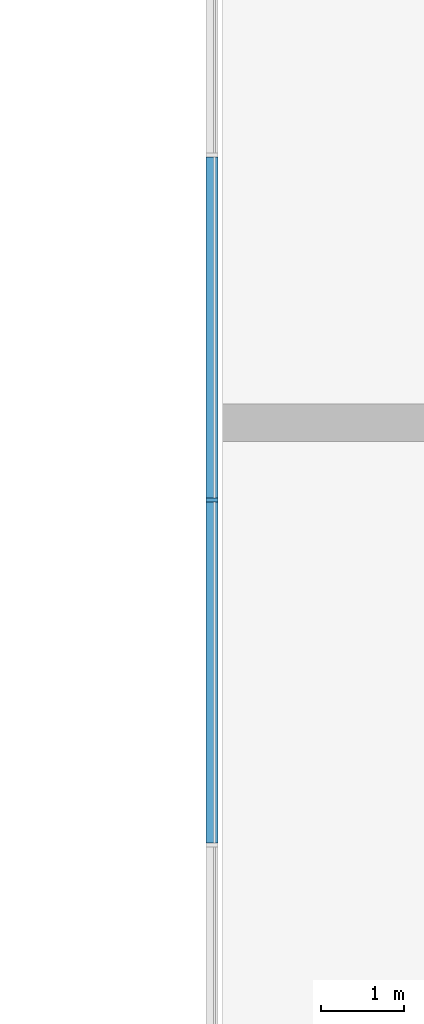
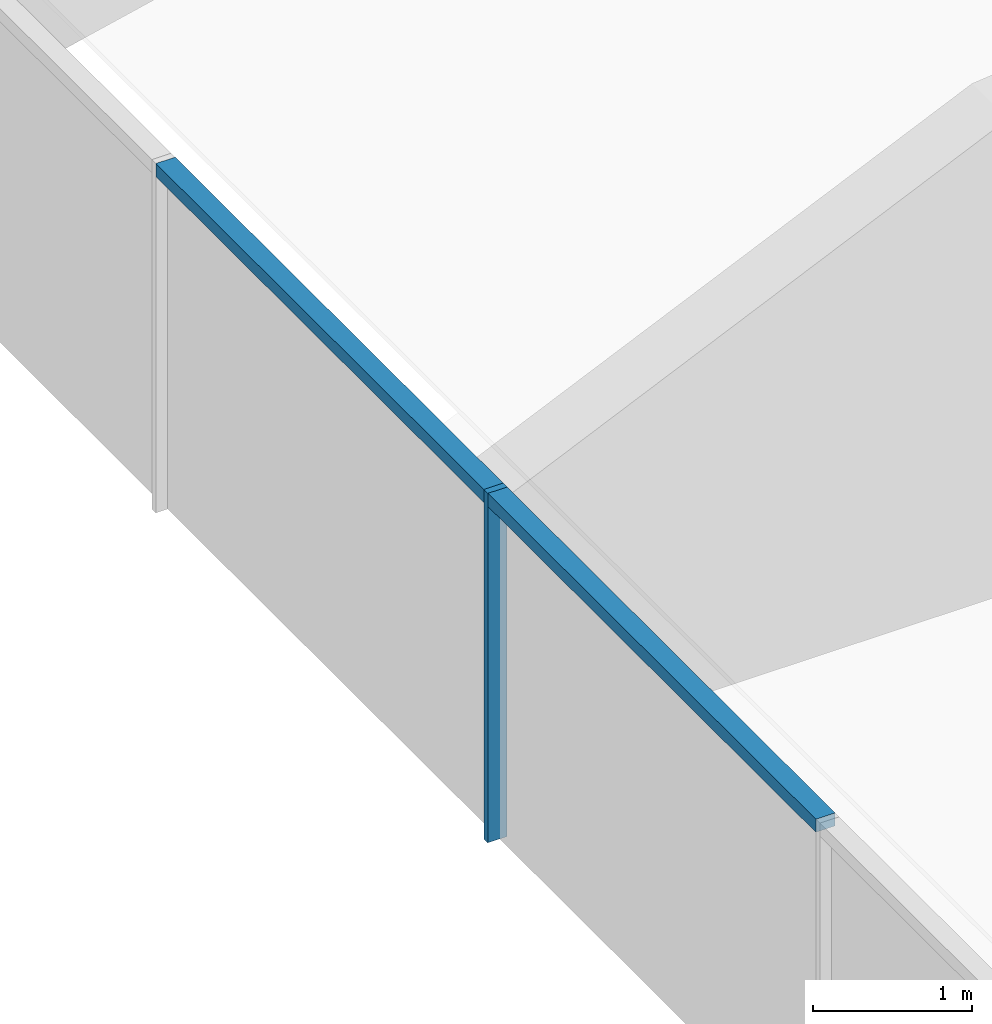
# One storey, part 3 of 14: 3 members, 2 elements without a shape of their own.
"""IFC4 building model written with IfcOpenShell, lengths in metres."""

from ifc_helpers import new_model, si_unit, direction, frame, origin, origin_2d, place, context, subcontext, project, spatial, rectangle, extrude, material, material_profile, profile_set, type_object, element, aggregate, save


model = new_model("IFC4")

# Units and contexts
model_context = context("Model", 3, precision=1e-05, world=origin(), true_north=direction((0.0, 1.0)))
body_context = subcontext(model_context, "Body", "Model", "MODEL_VIEW")
ifc_project = project(units=[si_unit("LENGTHUNIT", "METRE"), si_unit("AREAUNIT", "SQUARE_METRE"), si_unit("VOLUMEUNIT", "CUBIC_METRE"), si_unit("PLANEANGLEUNIT", "RADIAN"), si_unit("MASSUNIT", "GRAM", prefix="KILO")], contexts=[model_context])

# Site, building, storey
site_placement = place(None, origin())
site = spatial("IfcSite", under=ifc_project, at=site_placement, CompositionType="ELEMENT")
building_placement = place(site_placement, origin())
building = spatial("IfcBuilding", under=site, at=building_placement, Name="Ogive Gate Towers", CompositionType="ELEMENT")
storey_placement = place(building_placement, frame((0.0, 0.0, 306.0)))
storey = spatial("IfcBuildingStorey", under=building, at=storey_placement, Name="L72", CompositionType="ELEMENT", Elevation=306.0)

# Curtain wall, members
ifc_material = material(Name="Pale metal aluminium", Category="aluminium")
curtain_wall_type = type_object("IfcCurtainWallType", Name="Crown lean wall", PredefinedType="NOTDEFINED", material=ifc_material)
curtain_wall_1_placement = place(storey_placement, origin())
curtain_wall_1 = element("IfcCurtainWall", 1, at=curtain_wall_1_placement, inside=storey, type_object=curtain_wall_type, Name="CW5 T1 ECW03b", PredefinedType="NOTDEFINED")
ifc_material_profile_1 = material_profile(ifc_material, rectangle(XDim=0.139892578125, YDim=0.050048828125, at=origin_2d()), Name="50 x 140 aluminium box")
ifc_profile_set_1 = profile_set([ifc_material_profile_1], Name="Pale metal aluminium")
member_type_1 = type_object("IfcMemberType", Name="Crown lean wall mullion 50 x 140", PredefinedType="MULLION", material=ifc_profile_set_1)
member_1_placement = place(storey_placement, frame((-43.059326171875, 8.342041015625, -0.300048828125), z_axis=(0.0, 0.0, 1.0), x_axis=(1.0, 0.0, 0.0)))
member_1 = element("IfcMember", 2, at=member_1_placement, type_object=member_type_1, Name="CW5 mullion", PredefinedType="MULLION", context=body_context, shape_type="SweptSolid", body=[
    extrude(rectangle(XDim=0.139892578125, YDim=0.050048828125, at=origin_2d()), origin(), (0.0, 0.0, 1.0), 2.679931640625),
])
ifc_material_profile_2 = material_profile(ifc_material, rectangle(XDim=0.139892578125, YDim=0.10009765625, at=origin_2d()), Name="100 x 140 aluminium box")
ifc_profile_set_2 = profile_set([ifc_material_profile_2], Name="Pale metal aluminium")
member_type_2 = type_object("IfcMemberType", Name="Crown lean wall transom 100 x 140", PredefinedType="USERDEFINED", material=ifc_profile_set_2)
member_2_placement = place(storey_placement, frame((-43.059326171875, 8.366943359375, 2.330078125), z_axis=(0.0, 1.0, 0.0), x_axis=(-1.0, 0.0, 0.0)))
member_2 = element("IfcMember", 3, at=member_2_placement, type_object=member_type_2, Name="CW5 transom", ObjectType="TRANSOM", PredefinedType="USERDEFINED", context=body_context, shape_type="SweptSolid", body=[
    extrude(rectangle(XDim=0.139892578125, YDim=0.10009765625, at=origin_2d()), origin(), (0.0, 0.0, 1.0), 4.12109375),
])
aggregate(curtain_wall_1, [member_1, member_2])

# Curtain wall, member
curtain_wall_2_placement = place(storey_placement, origin())
curtain_wall_2 = element("IfcCurtainWall", 4, at=curtain_wall_2_placement, inside=storey, type_object=curtain_wall_type, Name="CW5 T1 ECW04", PredefinedType="NOTDEFINED")
member_3_placement = place(storey_placement, frame((-43.059326171875, 4.196044921875, 2.330078125), z_axis=(0.0, 1.0, 0.0), x_axis=(-1.0, 0.0, 0.0)))
member_3 = element("IfcMember", 5, at=member_3_placement, type_object=member_type_2, Name="CW5 transom", ObjectType="TRANSOM", PredefinedType="USERDEFINED", context=body_context, shape_type="SweptSolid", body=[
    extrude(rectangle(XDim=0.139892578125, YDim=0.10009765625, at=origin_2d()), origin(), (0.0, 0.0, 1.0), 4.120849609375),
])
aggregate(curtain_wall_2, [member_3])

save(model, "model.ifc")
